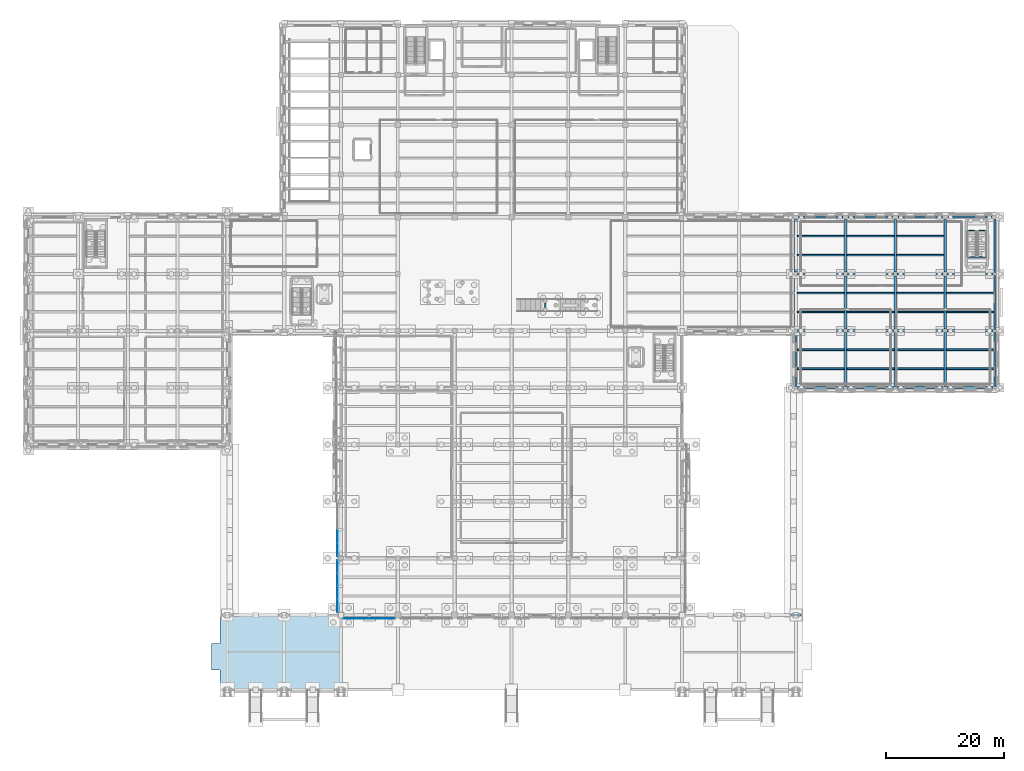
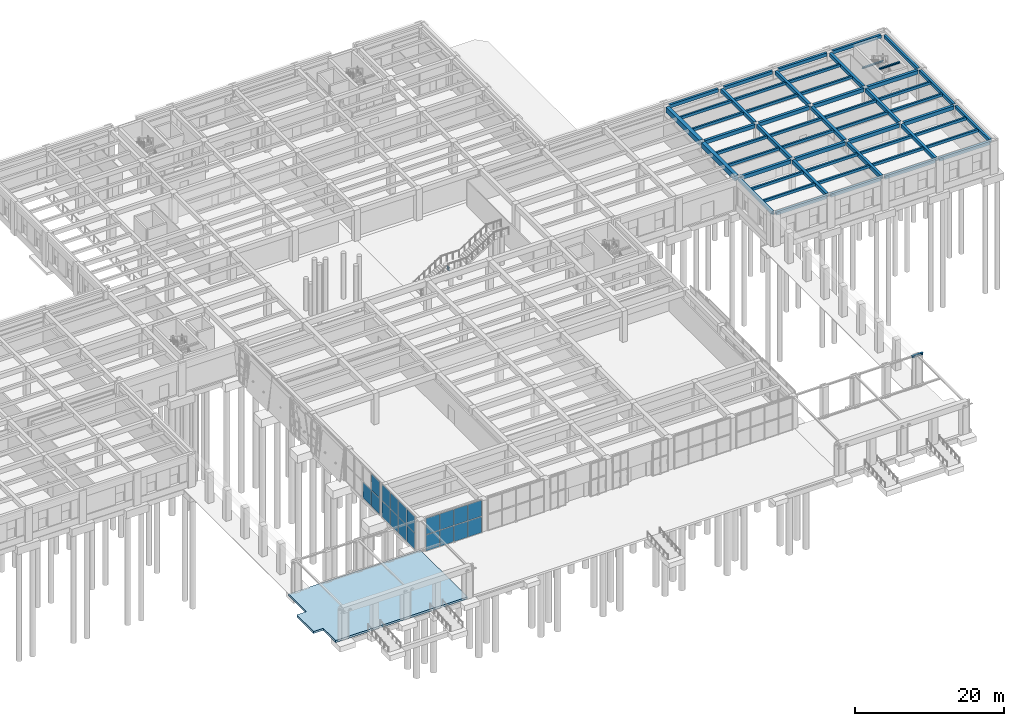
# One storey, part 23 of 51: 57 beams, 19 plates, 1 slab, 3 elements without a shape of their own.
"""IFC4 building model written with IfcOpenShell, lengths in metres."""

from ifc_helpers import new_model, si_unit, direction, frame, origin, origin_2d, place, context, subcontext, project, spatial, polyline, rectangle, i_section, outline, extrude, material, layer, layer_set, material_profile, profile_set, type_object, element, aggregate, save


model = new_model("IFC4")

# Units and contexts
model_context = context("Model", 3, precision=1e-05, world=origin(), true_north=direction((0.0, 1.0)))
body_context = subcontext(model_context, "Body", "Model", "MODEL_VIEW")
ifc_project = project(units=[si_unit("LENGTHUNIT", "METRE"), si_unit("AREAUNIT", "SQUARE_METRE"), si_unit("VOLUMEUNIT", "CUBIC_METRE"), si_unit("PLANEANGLEUNIT", "RADIAN"), si_unit("MASSUNIT", "GRAM", prefix="KILO")], contexts=[model_context])

# Site, building, storey
site_placement = place(None, origin())
site = spatial("IfcSite", under=ifc_project, at=site_placement, CompositionType="ELEMENT")
building_placement = place(site_placement, origin())
building = spatial("IfcBuilding", under=site, at=building_placement, Name="Bempovik Park Faculty of Sciences", CompositionType="ELEMENT")
storey_placement = place(building_placement, origin())
storey = spatial("IfcBuildingStorey", under=building, at=storey_placement, Name="L00", CompositionType="ELEMENT", Elevation=0.0)

# Beams
ifc_material_1 = material(Name="Concrete C35/45", Category="concrete")
ifc_material_profile_1 = material_profile(ifc_material_1, rectangle(XDim=0.39990234375, YDim=0.60009765625, at=origin_2d()), Name="RC 400x600")
ifc_profile_set_1 = profile_set([ifc_material_profile_1], Name="Concrete C35/45")
beam_type_1 = type_object("IfcBeamType", Name="B-020 RC 400x600", PredefinedType="BEAM", material=ifc_profile_set_1)
beam_1_placement = place(storey_placement, frame((137.115966796875, 67.800048828125, 4.780029296875), z_axis=(1.0, 0.0, 0.0), x_axis=(0.0, 1.0, 0.0)))
element("IfcBeam", 1, at=beam_1_placement, inside=storey, type_object=beam_type_1, Name="L00 Beam X (136.8-145.2, y=67.8)", PredefinedType="BEAM", context=body_context, shape_type="SweptSolid", body=[
    extrude(rectangle(XDim=0.39990234375, YDim=0.60009765625, at=origin_2d()), origin(), (0.0, 0.0, 1.0), 7.76806640625),
])
beam_2_placement = place(storey_placement, frame((145.51611328125, 67.800048828125, 4.780029296875), z_axis=(1.0, 0.0, 0.0), x_axis=(0.0, 1.0, 0.0)))
element("IfcBeam", 2, at=beam_2_placement, inside=storey, type_object=beam_type_1, Name="L00 Beam X (145.2-153.6, y=67.8)", PredefinedType="BEAM", context=body_context, shape_type="SweptSolid", body=[
    extrude(rectangle(XDim=0.39990234375, YDim=0.60009765625, at=origin_2d()), origin(), (0.0, 0.0, 1.0), 7.767822265625),
])
for number, where, z_axis, x_axis, name in (
    (3, (153.916015625, 67.800048828125, 4.780029296875), (1.0, 0.0, 0.0), (0.0, 1.0, 0.0), "L00 Beam X (153.6-162.0, y=67.8)"),
    (4, (162.31591796875, 67.800048828125, 4.780029296875), (1.0, 0.0, 0.0), (0.0, 1.0, 0.0), "L00 Beam X (162.0-170.4, y=67.8)"),
    (5, (137.115966796875, 77.39990234375, 4.780029296875), (1.0, 0.0, 0.0), (0.0, 1.0, 0.0), "L00 Beam X (136.8-145.2, y=77.4)"),
):
    element("IfcBeam", number, at=place(storey_placement, frame(where, z_axis=z_axis, x_axis=x_axis)), inside=storey, type_object=beam_type_1, Name=name, PredefinedType="BEAM", context=body_context, shape_type="SweptSolid", body=[
        extrude(rectangle(XDim=0.39990234375, YDim=0.60009765625, at=origin_2d()), origin(), (0.0, 0.0, 1.0), 7.76806640625),
    ])
beam_3_placement = place(storey_placement, frame((145.51611328125, 77.39990234375, 4.780029296875), z_axis=(1.0, 0.0, 0.0), x_axis=(0.0, 1.0, 0.0)))
element("IfcBeam", 6, at=beam_3_placement, inside=storey, type_object=beam_type_1, Name="L00 Beam X (145.2-153.6, y=77.4)", PredefinedType="BEAM", context=body_context, shape_type="SweptSolid", body=[
    extrude(rectangle(XDim=0.39990234375, YDim=0.60009765625, at=origin_2d()), origin(), (0.0, 0.0, 1.0), 7.767822265625),
])
for number, where, z_axis, x_axis, name in (
    (7, (153.916015625, 77.39990234375, 4.780029296875), (1.0, 0.0, 0.0), (0.0, 1.0, 0.0), "L00 Beam X (153.6-162.0, y=77.4)"),
    (8, (162.31591796875, 77.39990234375, 4.780029296875), (1.0, 0.0, 0.0), (0.0, 1.0, 0.0), "L00 Beam X (162.0-170.4, y=77.4)"),
):
    element("IfcBeam", number, at=place(storey_placement, frame(where, z_axis=z_axis, x_axis=x_axis)), inside=storey, type_object=beam_type_1, Name=name, PredefinedType="BEAM", context=body_context, shape_type="SweptSolid", body=[
        extrude(rectangle(XDim=0.39990234375, YDim=0.60009765625, at=origin_2d()), origin(), (0.0, 0.0, 1.0), 7.76806640625),
    ])
beam_4_placement = place(storey_placement, frame((145.199951171875, 58.43603515625, 4.780029296875), z_axis=(0.0, 1.0, 0.0), x_axis=(-1.0, 0.0, 0.0)))
element("IfcBeam", 9, at=beam_4_placement, inside=storey, type_object=beam_type_1, Name="L00 Beam Y (x=145.2, 58.2-67.8)", PredefinedType="BEAM", context=body_context, shape_type="SweptSolid", body=[
    extrude(rectangle(XDim=0.39990234375, YDim=0.60009765625, at=origin_2d()), origin(), (0.0, 0.0, 1.0), 9.0478515625),
])
beam_5_placement = place(storey_placement, frame((145.199951171875, 68.115966796875, 4.780029296875), z_axis=(0.0, 1.0, 0.0), x_axis=(-1.0, 0.0, 0.0)))
element("IfcBeam", 10, at=beam_5_placement, inside=storey, type_object=beam_type_1, Name="L00 Beam Y (x=145.2, 67.8-77.4)", PredefinedType="BEAM", context=body_context, shape_type="SweptSolid", body=[
    extrude(rectangle(XDim=0.39990234375, YDim=0.60009765625, at=origin_2d()), origin(), (0.0, 0.0, 1.0), 8.968017578125),
])
beam_6_placement = place(storey_placement, frame((145.199951171875, 77.716064453125, 4.780029296875), z_axis=(0.0, 1.0, 0.0), x_axis=(-1.0, 0.0, 0.0)))
element("IfcBeam", 11, at=beam_6_placement, inside=storey, type_object=beam_type_1, Name="L00 Beam Y (x=145.2, 77.4-87.0)", PredefinedType="BEAM", context=body_context, shape_type="SweptSolid", body=[
    extrude(rectangle(XDim=0.39990234375, YDim=0.60009765625, at=origin_2d()), origin(), (0.0, 0.0, 1.0), 8.927978515625),
])
beam_7_placement = place(storey_placement, frame((153.60009765625, 58.43603515625, 4.780029296875), z_axis=(0.0, 1.0, 0.0), x_axis=(-1.0, 0.0, 0.0)))
element("IfcBeam", 12, at=beam_7_placement, inside=storey, type_object=beam_type_1, Name="L00 Beam Y (x=153.6, 58.2-67.8)", PredefinedType="BEAM", context=body_context, shape_type="SweptSolid", body=[
    extrude(rectangle(XDim=0.39990234375, YDim=0.60009765625, at=origin_2d()), origin(), (0.0, 0.0, 1.0), 9.0478515625),
])
beam_8_placement = place(storey_placement, frame((153.60009765625, 68.115966796875, 4.780029296875), z_axis=(0.0, 1.0, 0.0), x_axis=(-1.0, 0.0, 0.0)))
element("IfcBeam", 13, at=beam_8_placement, inside=storey, type_object=beam_type_1, Name="L00 Beam Y (x=153.6, 67.8-77.4)", PredefinedType="BEAM", context=body_context, shape_type="SweptSolid", body=[
    extrude(rectangle(XDim=0.39990234375, YDim=0.60009765625, at=origin_2d()), origin(), (0.0, 0.0, 1.0), 8.968017578125),
])
beam_9_placement = place(storey_placement, frame((153.60009765625, 77.716064453125, 4.780029296875), z_axis=(0.0, 1.0, 0.0), x_axis=(-1.0, 0.0, 0.0)))
element("IfcBeam", 14, at=beam_9_placement, inside=storey, type_object=beam_type_1, Name="L00 Beam Y (x=153.6, 77.4-87.0)", PredefinedType="BEAM", context=body_context, shape_type="SweptSolid", body=[
    extrude(rectangle(XDim=0.39990234375, YDim=0.60009765625, at=origin_2d()), origin(), (0.0, 0.0, 1.0), 8.927978515625),
])
beam_10_placement = place(storey_placement, frame((162.0, 58.43603515625, 4.780029296875), z_axis=(0.0, 1.0, 0.0), x_axis=(-1.0, 0.0, 0.0)))
element("IfcBeam", 15, at=beam_10_placement, inside=storey, type_object=beam_type_1, Name="L00 Beam Y (x=162.0, 58.2-67.8)", PredefinedType="BEAM", context=body_context, shape_type="SweptSolid", body=[
    extrude(rectangle(XDim=0.39990234375, YDim=0.60009765625, at=origin_2d()), origin(), (0.0, 0.0, 1.0), 9.0478515625),
])
beam_11_placement = place(storey_placement, frame((162.0, 68.115966796875, 4.780029296875), z_axis=(0.0, 1.0, 0.0), x_axis=(-1.0, 0.0, 0.0)))
element("IfcBeam", 16, at=beam_11_placement, inside=storey, type_object=beam_type_1, Name="L00 Beam Y (x=162.0, 67.8-77.4)", PredefinedType="BEAM", context=body_context, shape_type="SweptSolid", body=[
    extrude(rectangle(XDim=0.39990234375, YDim=0.60009765625, at=origin_2d()), origin(), (0.0, 0.0, 1.0), 8.968017578125),
])
beam_12_placement = place(storey_placement, frame((162.0, 77.716064453125, 4.780029296875), z_axis=(0.0, 1.0, 0.0), x_axis=(-1.0, 0.0, 0.0)))
element("IfcBeam", 17, at=beam_12_placement, inside=storey, type_object=beam_type_1, Name="L00 Beam Y (x=162.0, 77.4-87.0)", PredefinedType="BEAM", context=body_context, shape_type="SweptSolid", body=[
    extrude(rectangle(XDim=0.39990234375, YDim=0.60009765625, at=origin_2d()), origin(), (0.0, 0.0, 1.0), 8.927978515625),
])
ifc_material_2 = material(Name="Steel S355", Category="steel")
ifc_material_profile_2 = material_profile(ifc_material_2, i_section(OverallWidth=0.300048828125, OverallDepth=0.31005859375, WebThickness=0.009033203125, FlangeThickness=0.015380859375, at=origin_2d()), Name="HEA 320")
ifc_profile_set_2 = profile_set([ifc_material_profile_2], Name="Steel S355")
beam_type_2 = type_object("IfcBeamType", Name="B-024 HEA 320", PredefinedType="BEAM", material=ifc_profile_set_2)
beam_13_placement = place(storey_placement, frame((135.949951171875, 19.800048828125, 5.02490234375), z_axis=(1.0, 0.0, 0.0), x_axis=(0.0, 1.0, 0.0)))
element("IfcBeam", 18, at=beam_13_placement, inside=storey, type_object=beam_type_2, Name="Colonnade Rear Cap Beam E-136.8", PredefinedType="BEAM", context=body_context, shape_type="SweptSolid", body=[
    extrude(i_section(OverallWidth=0.300048828125, OverallDepth=0.31005859375, WebThickness=0.009033203125, FlangeThickness=0.015380859375, at=origin_2d()), origin(), (0.0, 0.0, 1.0), 1.699951171875),
])
ifc_material_profile_3 = material_profile(ifc_material_2, i_section(OverallWidth=0.199951171875, OverallDepth=0.5, WebThickness=0.01025390625, FlangeThickness=0.01611328125, at=origin_2d()), Name="IPE 500")
ifc_profile_set_3 = profile_set([ifc_material_profile_3], Name="Steel S355")
beam_type_3 = type_object("IfcBeamType", Name="B-058 IPE 500", PredefinedType="BEAM", material=ifc_profile_set_3)
beam_14_placement = place(storey_placement, frame((94.5, 71.77587890625, 2.25), z_axis=(0.0, 1.0, 0.0), x_axis=(-1.0, 0.0, 0.0)))
element("IfcBeam", 19, at=beam_14_placement, inside=storey, type_object=beam_type_3, Name="Atrium Monumental Stair Landing Stringer", PredefinedType="BEAM", context=body_context, shape_type="SweptSolid", body=[
    extrude(i_section(OverallWidth=0.199951171875, OverallDepth=0.5, WebThickness=0.01025390625, FlangeThickness=0.01611328125, at=origin_2d()), origin(), (0.0, 0.0, 1.0), 0.6982421875),
])
ifc_material_profile_4 = material_profile(ifc_material_1, rectangle(XDim=0.35009765625, YDim=0.5400390625, at=origin_2d()), Name="RC 350x540")
ifc_profile_set_4 = profile_set([ifc_material_profile_4], Name="Concrete C35/45")
beam_type_4 = type_object("IfcBeamType", Name="B-059 RC 350x540", PredefinedType="SPANDREL", material=ifc_profile_set_4)
beam_15_placement = place(storey_placement, frame((137.115966796875, 58.199951171875, 4.81005859375), z_axis=(1.0, 0.0, 0.0), x_axis=(0.0, 1.0, 0.0)))
element("IfcBeam", 20, at=beam_15_placement, inside=storey, type_object=beam_type_4, Name="L00 Beam X (136.8-145.2, y=58.2)", PredefinedType="SPANDREL", context=body_context, shape_type="SweptSolid", body=[
    extrude(rectangle(XDim=0.35009765625, YDim=0.5400390625, at=origin_2d()), origin(), (0.0, 0.0, 1.0), 7.76806640625),
])
beam_16_placement = place(storey_placement, frame((145.51611328125, 58.199951171875, 4.81005859375), z_axis=(1.0, 0.0, 0.0), x_axis=(0.0, 1.0, 0.0)))
element("IfcBeam", 21, at=beam_16_placement, inside=storey, type_object=beam_type_4, Name="L00 Beam X (145.2-153.6, y=58.2)", PredefinedType="SPANDREL", context=body_context, shape_type="SweptSolid", body=[
    extrude(rectangle(XDim=0.35009765625, YDim=0.5400390625, at=origin_2d()), origin(), (0.0, 0.0, 1.0), 7.767822265625),
])
for number, where, z_axis, x_axis, name in (
    (22, (153.916015625, 58.199951171875, 4.81005859375), (1.0, 0.0, 0.0), (0.0, 1.0, 0.0), "L00 Beam X (153.6-162.0, y=58.2)"),
    (23, (162.31591796875, 58.199951171875, 4.81005859375), (1.0, 0.0, 0.0), (0.0, 1.0, 0.0), "L00 Beam X (162.0-170.4, y=58.2)"),
):
    element("IfcBeam", number, at=place(storey_placement, frame(where, z_axis=z_axis, x_axis=x_axis)), inside=storey, type_object=beam_type_4, Name=name, PredefinedType="SPANDREL", context=body_context, shape_type="SweptSolid", body=[
        extrude(rectangle(XDim=0.35009765625, YDim=0.5400390625, at=origin_2d()), origin(), (0.0, 0.0, 1.0), 7.76806640625),
    ])
beam_17_placement = place(storey_placement, frame((137.256103515625, 87.0, 4.81005859375), z_axis=(1.0, 0.0, 0.0), x_axis=(0.0, 1.0, 0.0)))
element("IfcBeam", 24, at=beam_17_placement, inside=storey, type_object=beam_type_4, Name="L00 Beam X (136.8-145.2, y=87.0)", PredefinedType="SPANDREL", context=body_context, shape_type="SweptSolid", body=[
    extrude(rectangle(XDim=0.35009765625, YDim=0.5400390625, at=origin_2d()), origin(), (0.0, 0.0, 1.0), 7.48779296875),
])
for number, where, z_axis, x_axis, name in (
    (25, (145.656005859375, 87.0, 4.81005859375), (1.0, 0.0, 0.0), (0.0, 1.0, 0.0), "L00 Beam X (145.2-153.6, y=87.0)"),
    (26, (154.055908203125, 87.0, 4.81005859375), (1.0, 0.0, 0.0), (0.0, 1.0, 0.0), "L00 Beam X (153.6-162.0, y=87.0)"),
    (27, (162.4560546875, 87.0, 4.81005859375), (1.0, 0.0, 0.0), (0.0, 1.0, 0.0), "L00 Beam X (162.0-170.4, y=87.0)"),
):
    element("IfcBeam", number, at=place(storey_placement, frame(where, z_axis=z_axis, x_axis=x_axis)), inside=storey, type_object=beam_type_4, Name=name, PredefinedType="SPANDREL", context=body_context, shape_type="SweptSolid", body=[
        extrude(rectangle(XDim=0.35009765625, YDim=0.5400390625, at=origin_2d()), origin(), (0.0, 0.0, 1.0), 7.488037109375),
    ])
beam_18_placement = place(storey_placement, frame((136.800048828125, 58.43603515625, 4.81005859375), z_axis=(0.0, 1.0, 0.0), x_axis=(-1.0, 0.0, 0.0)))
element("IfcBeam", 28, at=beam_18_placement, inside=storey, type_object=beam_type_4, Name="L00 Beam Y (x=136.8, 58.2-67.8)", PredefinedType="SPANDREL", context=body_context, shape_type="SweptSolid", body=[
    extrude(rectangle(XDim=0.35009765625, YDim=0.5400390625, at=origin_2d()), origin(), (0.0, 0.0, 1.0), 9.0478515625),
])
beam_19_placement = place(storey_placement, frame((170.39990234375, 58.43603515625, 4.81005859375), z_axis=(0.0, 1.0, 0.0), x_axis=(-1.0, 0.0, 0.0)))
element("IfcBeam", 29, at=beam_19_placement, inside=storey, type_object=beam_type_4, Name="L00 Beam Y (x=170.4, 58.2-67.8)", PredefinedType="SPANDREL", context=body_context, shape_type="SweptSolid", body=[
    extrude(rectangle(XDim=0.35009765625, YDim=0.5400390625, at=origin_2d()), origin(), (0.0, 0.0, 1.0), 9.1279296875),
])
beam_20_placement = place(storey_placement, frame((170.39990234375, 68.035888671875, 4.81005859375), z_axis=(0.0, 1.0, 0.0), x_axis=(-1.0, 0.0, 0.0)))
element("IfcBeam", 30, at=beam_20_placement, inside=storey, type_object=beam_type_4, Name="L00 Beam Y (x=170.4, 67.8-77.4)", PredefinedType="SPANDREL", context=body_context, shape_type="SweptSolid", body=[
    extrude(rectangle(XDim=0.35009765625, YDim=0.5400390625, at=origin_2d()), origin(), (0.0, 0.0, 1.0), 9.128173828125),
])
beam_21_placement = place(storey_placement, frame((170.39990234375, 77.635986328125, 4.81005859375), z_axis=(0.0, 1.0, 0.0), x_axis=(-1.0, 0.0, 0.0)))
element("IfcBeam", 31, at=beam_21_placement, inside=storey, type_object=beam_type_4, Name="L00 Beam Y (x=170.4, 77.4-87.0)", PredefinedType="SPANDREL", context=body_context, shape_type="SweptSolid", body=[
    extrude(rectangle(XDim=0.35009765625, YDim=0.5400390625, at=origin_2d()), origin(), (0.0, 0.0, 1.0), 9.008056640625),
])
ifc_material_profile_5 = material_profile(ifc_material_2, i_section(OverallWidth=0.239990234375, OverallDepth=0.22998046875, WebThickness=0.007568359375, FlangeThickness=0.011962890625, at=origin_2d()), Name="HEA 240")
ifc_profile_set_5 = profile_set([ifc_material_profile_5], Name="Steel S355")
beam_type_5 = type_object("IfcBeamType", Name="B-070 HEA 240", PredefinedType="BEAM", material=ifc_profile_set_5)
for number, where, z_axis, x_axis, name in (
    (32, (165.756103515625, 84.74365234375, 2.385009765625), (1.0, 0.0, 0.0), (0.0, 1.0, 0.0), "L00 ST-6 Half-Landing Trimmer Beam"),
    (33, (165.756103515625, 80.22509765625, 4.965087890625), (1.0, 0.0, 0.0), (0.0, 1.0, 0.0), "L01 ST-6 Floor Landing Trimmer Beam"),
):
    element("IfcBeam", number, at=place(storey_placement, frame(where, z_axis=z_axis, x_axis=x_axis)), inside=storey, type_object=beam_type_5, Name=name, PredefinedType="BEAM", context=body_context, shape_type="SweptSolid", body=[
        extrude(i_section(OverallWidth=0.239990234375, OverallDepth=0.22998046875, WebThickness=0.007568359375, FlangeThickness=0.011962890625, at=origin_2d()), origin(), (0.0, 0.0, 1.0), 3.23779296875),
    ])
ifc_material_profile_6 = material_profile(ifc_material_1, rectangle(XDim=0.280029296875, YDim=0.43994140625, at=origin_2d()), Name="RC 280x440")
ifc_profile_set_6 = profile_set([ifc_material_profile_6], Name="Concrete C35/45")
beam_type_6 = type_object("IfcBeamType", Name="B-076 RC 280x440", PredefinedType="JOIST", material=ifc_profile_set_6)
for number, where, z_axis, x_axis, name in (
    (34, (136.98095703125, 61.39990234375, 4.860107421875), (1.0, 0.0, 0.0), (0.0, 1.0, 0.0), "L00 Secondary Joist (136.8-145.2, y=61.40)"),
    (35, (136.98095703125, 64.60009765625, 4.860107421875), (1.0, 0.0, 0.0), (0.0, 1.0, 0.0), "L00 Secondary Joist (136.8-145.2, y=64.60)"),
):
    element("IfcBeam", number, at=place(storey_placement, frame(where, z_axis=z_axis, x_axis=x_axis)), inside=storey, type_object=beam_type_6, Name=name, PredefinedType="JOIST", context=body_context, shape_type="SweptSolid", body=[
        extrude(rectangle(XDim=0.280029296875, YDim=0.43994140625, at=origin_2d()), origin(), (0.0, 0.0, 1.0), 8.012939453125),
    ])
for number, where, z_axis, x_axis, name in (
    (36, (137.0810546875, 71.0, 4.860107421875), (1.0, 0.0, 0.0), (0.0, 1.0, 0.0), "L00 Secondary Joist (136.8-145.2, y=71.00)"),
    (37, (137.0810546875, 74.199951171875, 4.860107421875), (1.0, 0.0, 0.0), (0.0, 1.0, 0.0), "L00 Secondary Joist (136.8-145.2, y=74.20)"),
    (38, (137.0810546875, 80.60009765625, 4.860107421875), (1.0, 0.0, 0.0), (0.0, 1.0, 0.0), "L00 Secondary Joist (136.8-145.2, y=80.60)"),
    (39, (137.0810546875, 83.800048828125, 4.860107421875), (1.0, 0.0, 0.0), (0.0, 1.0, 0.0), "L00 Secondary Joist (136.8-145.2, y=83.80)"),
):
    element("IfcBeam", number, at=place(storey_placement, frame(where, z_axis=z_axis, x_axis=x_axis)), inside=storey, type_object=beam_type_6, Name=name, PredefinedType="JOIST", context=body_context, shape_type="SweptSolid", body=[
        extrude(rectangle(XDim=0.280029296875, YDim=0.43994140625, at=origin_2d()), origin(), (0.0, 0.0, 1.0), 7.912841796875),
    ])
for number, where, z_axis, x_axis, name in (
    (40, (145.406005859375, 61.39990234375, 4.860107421875), (1.0, 0.0, 0.0), (0.0, 1.0, 0.0), "L00 Secondary Joist (145.2-153.6, y=61.40)"),
    (41, (145.406005859375, 64.60009765625, 4.860107421875), (1.0, 0.0, 0.0), (0.0, 1.0, 0.0), "L00 Secondary Joist (145.2-153.6, y=64.60)"),
    (42, (145.406005859375, 71.0, 4.860107421875), (1.0, 0.0, 0.0), (0.0, 1.0, 0.0), "L00 Secondary Joist (145.2-153.6, y=71.00)"),
    (43, (145.406005859375, 74.199951171875, 4.860107421875), (1.0, 0.0, 0.0), (0.0, 1.0, 0.0), "L00 Secondary Joist (145.2-153.6, y=74.20)"),
    (44, (145.406005859375, 80.60009765625, 4.860107421875), (1.0, 0.0, 0.0), (0.0, 1.0, 0.0), "L00 Secondary Joist (145.2-153.6, y=80.60)"),
    (45, (145.406005859375, 83.800048828125, 4.860107421875), (1.0, 0.0, 0.0), (0.0, 1.0, 0.0), "L00 Secondary Joist (145.2-153.6, y=83.80)"),
    (46, (153.805908203125, 61.39990234375, 4.860107421875), (1.0, 0.0, 0.0), (0.0, 1.0, 0.0), "L00 Secondary Joist (153.6-162.0, y=61.40)"),
    (47, (153.805908203125, 64.60009765625, 4.860107421875), (1.0, 0.0, 0.0), (0.0, 1.0, 0.0), "L00 Secondary Joist (153.6-162.0, y=64.60)"),
    (48, (153.805908203125, 71.0, 4.860107421875), (1.0, 0.0, 0.0), (0.0, 1.0, 0.0), "L00 Secondary Joist (153.6-162.0, y=71.00)"),
    (49, (153.805908203125, 74.199951171875, 4.860107421875), (1.0, 0.0, 0.0), (0.0, 1.0, 0.0), "L00 Secondary Joist (153.6-162.0, y=74.20)"),
    (50, (153.805908203125, 80.60009765625, 4.860107421875), (1.0, 0.0, 0.0), (0.0, 1.0, 0.0), "L00 Secondary Joist (153.6-162.0, y=80.60)"),
    (51, (153.805908203125, 83.800048828125, 4.860107421875), (1.0, 0.0, 0.0), (0.0, 1.0, 0.0), "L00 Secondary Joist (153.6-162.0, y=83.80)"),
):
    element("IfcBeam", number, at=place(storey_placement, frame(where, z_axis=z_axis, x_axis=x_axis)), inside=storey, type_object=beam_type_6, Name=name, PredefinedType="JOIST", context=body_context, shape_type="SweptSolid", body=[
        extrude(rectangle(XDim=0.280029296875, YDim=0.43994140625, at=origin_2d()), origin(), (0.0, 0.0, 1.0), 7.988037109375),
    ])
for number, where, z_axis, x_axis, name in (
    (52, (162.2060546875, 61.39990234375, 4.860107421875), (1.0, 0.0, 0.0), (0.0, 1.0, 0.0), "L00 Secondary Joist (162.0-170.4, y=61.40)"),
    (53, (162.2060546875, 64.60009765625, 4.860107421875), (1.0, 0.0, 0.0), (0.0, 1.0, 0.0), "L00 Secondary Joist (162.0-170.4, y=64.60)"),
    (54, (162.2060546875, 71.0, 4.860107421875), (1.0, 0.0, 0.0), (0.0, 1.0, 0.0), "L00 Secondary Joist (162.0-170.4, y=71.00)"),
    (55, (162.2060546875, 74.199951171875, 4.860107421875), (1.0, 0.0, 0.0), (0.0, 1.0, 0.0), "L00 Secondary Joist (162.0-170.4, y=74.20)"),
):
    element("IfcBeam", number, at=place(storey_placement, frame(where, z_axis=z_axis, x_axis=x_axis)), inside=storey, type_object=beam_type_6, Name=name, PredefinedType="JOIST", context=body_context, shape_type="SweptSolid", body=[
        extrude(rectangle(XDim=0.280029296875, YDim=0.43994140625, at=origin_2d()), origin(), (0.0, 0.0, 1.0), 8.012939453125),
    ])
ifc_material_3 = material(Name="Concrete C40/50", Category="concrete")
ifc_material_profile_7 = material_profile(ifc_material_3, rectangle(XDim=0.550048828125, YDim=0.85009765625, at=origin_2d()), Name="RC 550x850")
ifc_profile_set_7 = profile_set([ifc_material_profile_7], Name="Concrete C40/50")
beam_type_7 = type_object("IfcBeamType", Name="B-080 RC 550x850", PredefinedType="BEAM", material=ifc_profile_set_7)
beam_22_placement = place(storey_placement, frame((136.800048828125, 68.115966796875, 4.655029296875), z_axis=(0.0, 1.0, 0.0), x_axis=(-1.0, 0.0, 0.0)))
element("IfcBeam", 56, at=beam_22_placement, inside=storey, type_object=beam_type_7, Name="L00 Beam Y (x=136.8, 67.8-77.4)", PredefinedType="BEAM", context=body_context, shape_type="SweptSolid", body=[
    extrude(rectangle(XDim=0.550048828125, YDim=0.85009765625, at=origin_2d()), origin(), (0.0, 0.0, 1.0), 8.968017578125),
])
beam_23_placement = place(storey_placement, frame((136.800048828125, 77.716064453125, 4.655029296875), z_axis=(0.0, 1.0, 0.0), x_axis=(-1.0, 0.0, 0.0)))
element("IfcBeam", 57, at=beam_23_placement, inside=storey, type_object=beam_type_7, Name="L00 Beam Y (x=136.8, 77.4-87.0)", PredefinedType="BEAM", context=body_context, shape_type="SweptSolid", body=[
    extrude(rectangle(XDim=0.550048828125, YDim=0.85009765625, at=origin_2d()), origin(), (0.0, 0.0, 1.0), 8.927978515625),
])

# Curtain wall, plates
ifc_material_4 = material(Name="Tempered laminated low-E glass", Category="glass")
ifc_layer_1 = layer(ifc_material_4, 0.159912109375)
ifc_layer_set_1 = layer_set([ifc_layer_1], Name="Tempered laminated low-E glass")
curtain_wall_type = type_object("IfcCurtainWallType", Name="CW-57 Curtain 7200x5100", PredefinedType="USERDEFINED", material=ifc_layer_set_1)
curtain_wall_1_placement = place(storey_placement, origin())
curtain_wall_1 = element("IfcCurtainWall", 58, at=curtain_wall_1_placement, inside=storey, type_object=curtain_wall_type, Name="L00 Recessed Entrance Foyer Curtain Wall (60.0-69.6)", ObjectType="UNITISED CURTAIN WALL", PredefinedType="USERDEFINED")
ifc_layer_2 = layer(ifc_material_4, 0.0400390625)
ifc_layer_set_2 = layer_set([ifc_layer_2], Name="Tempered laminated low-E glass")
plate_type = type_object("IfcPlateType", Name="CP-15 Curtain Panel 40mm", PredefinedType="CURTAIN_PANEL", material=ifc_layer_set_2)
plate_1_placement = place(storey_placement, frame((61.54638671875, 19.219970703125, 0.0400390625), z_axis=(0.0, 0.0, 1.0), x_axis=(1.0, 0.0, 0.0)))
plate_1 = element("IfcPlate", 59, at=plate_1_placement, type_object=plate_type, Name="CW-FOY-L00-198-600 Panel 0-0", PredefinedType="CURTAIN_PANEL", context=body_context, shape_type="SweptSolid", body=[
    extrude(rectangle(XDim=2.089111328125, YDim=0.035888671875, at=origin_2d()), origin(), (0.0, 0.0, 1.0), 2.6201171875),
])
plate_2_placement = place(storey_placement, frame((61.54638671875, 19.219970703125, 2.739990234375), z_axis=(0.0, 0.0, 1.0), x_axis=(1.0, 0.0, 0.0)))
plate_2 = element("IfcPlate", 60, at=plate_2_placement, type_object=plate_type, Name="CW-FOY-L00-198-600 Panel 0-1", PredefinedType="CURTAIN_PANEL", context=body_context, shape_type="SweptSolid", body=[
    extrude(rectangle(XDim=2.089111328125, YDim=0.035888671875, at=origin_2d()), origin(), (0.0, 0.0, 1.0), 2.6201171875),
])
plate_3_placement = place(storey_placement, frame((63.715576171875, 19.219970703125, 0.0400390625), z_axis=(0.0, 0.0, 1.0), x_axis=(1.0, 0.0, 0.0)))
plate_3 = element("IfcPlate", 61, at=plate_3_placement, type_object=plate_type, Name="CW-FOY-L00-198-600 Panel 1-0", PredefinedType="CURTAIN_PANEL", context=body_context, shape_type="SweptSolid", body=[
    extrude(rectangle(XDim=2.089111328125, YDim=0.035888671875, at=origin_2d()), origin(), (0.0, 0.0, 1.0), 2.6201171875),
])
plate_4_placement = place(storey_placement, frame((63.715576171875, 19.219970703125, 2.739990234375), z_axis=(0.0, 0.0, 1.0), x_axis=(1.0, 0.0, 0.0)))
plate_4 = element("IfcPlate", 62, at=plate_4_placement, type_object=plate_type, Name="CW-FOY-L00-198-600 Panel 1-1", PredefinedType="CURTAIN_PANEL", context=body_context, shape_type="SweptSolid", body=[
    extrude(rectangle(XDim=2.089111328125, YDim=0.035888671875, at=origin_2d()), origin(), (0.0, 0.0, 1.0), 2.6201171875),
])
plate_5_placement = place(storey_placement, frame((65.884521484375, 19.219970703125, 0.0400390625), z_axis=(0.0, 0.0, 1.0), x_axis=(1.0, 0.0, 0.0)))
plate_5 = element("IfcPlate", 63, at=plate_5_placement, type_object=plate_type, Name="CW-FOY-L00-198-600 Panel 2-0", PredefinedType="CURTAIN_PANEL", context=body_context, shape_type="SweptSolid", body=[
    extrude(rectangle(XDim=2.089111328125, YDim=0.035888671875, at=origin_2d()), origin(), (0.0, 0.0, 1.0), 2.6201171875),
])
plate_6_placement = place(storey_placement, frame((65.884521484375, 19.219970703125, 2.739990234375), z_axis=(0.0, 0.0, 1.0), x_axis=(1.0, 0.0, 0.0)))
plate_6 = element("IfcPlate", 64, at=plate_6_placement, type_object=plate_type, Name="CW-FOY-L00-198-600 Panel 2-1", PredefinedType="CURTAIN_PANEL", context=body_context, shape_type="SweptSolid", body=[
    extrude(rectangle(XDim=2.089111328125, YDim=0.035888671875, at=origin_2d()), origin(), (0.0, 0.0, 1.0), 2.6201171875),
])
plate_7_placement = place(storey_placement, frame((68.053466796875, 19.219970703125, 0.0400390625), z_axis=(0.0, 0.0, 1.0), x_axis=(1.0, 0.0, 0.0)))
plate_7 = element("IfcPlate", 65, at=plate_7_placement, type_object=plate_type, Name="CW-FOY-L00-198-600 Panel 3-0", PredefinedType="CURTAIN_PANEL", context=body_context, shape_type="SweptSolid", body=[
    extrude(rectangle(XDim=2.089111328125, YDim=0.035888671875, at=origin_2d()), origin(), (0.0, 0.0, 1.0), 2.6201171875),
])
plate_8_placement = place(storey_placement, frame((68.053466796875, 19.219970703125, 2.739990234375), z_axis=(0.0, 0.0, 1.0), x_axis=(1.0, 0.0, 0.0)))
plate_8 = element("IfcPlate", 66, at=plate_8_placement, type_object=plate_type, Name="CW-FOY-L00-198-600 Panel 3-1", PredefinedType="CURTAIN_PANEL", context=body_context, shape_type="SweptSolid", body=[
    extrude(rectangle(XDim=2.089111328125, YDim=0.035888671875, at=origin_2d()), origin(), (0.0, 0.0, 1.0), 2.6201171875),
])
aggregate(curtain_wall_1, [plate_1, plate_2, plate_3, plate_4, plate_5, plate_6, plate_7, plate_8])

curtain_wall_2_placement = place(storey_placement, origin())
curtain_wall_2 = element("IfcCurtainWall", 67, at=curtain_wall_2_placement, inside=storey, type_object=curtain_wall_type, Name="L00 Recessed Entrance Foyer Curtain Wall (19.8-29.4)", ObjectType="UNITISED CURTAIN WALL", PredefinedType="USERDEFINED")
plate_9_placement = place(storey_placement, frame((59.419921875, 21.368408203125, 0.0400390625), z_axis=(0.0, 0.0, 1.0), x_axis=(0.0, 1.0, 0.0)))
plate_9 = element("IfcPlate", 68, at=plate_9_placement, type_object=plate_type, Name="CW-FOY-L00-600-198 Panel 0-0", PredefinedType="CURTAIN_PANEL", context=body_context, shape_type="SweptSolid", body=[
    extrude(rectangle(XDim=2.1328125, YDim=0.035888671875, at=origin_2d()), origin(), (0.0, 0.0, 1.0), 2.6201171875),
])
plate_10_placement = place(storey_placement, frame((59.419921875, 21.368408203125, 2.739990234375), z_axis=(0.0, 0.0, 1.0), x_axis=(0.0, 1.0, 0.0)))
plate_10 = element("IfcPlate", 69, at=plate_10_placement, type_object=plate_type, Name="CW-FOY-L00-600-198 Panel 0-1", PredefinedType="CURTAIN_PANEL", context=body_context, shape_type="SweptSolid", body=[
    extrude(rectangle(XDim=2.1328125, YDim=0.035888671875, at=origin_2d()), origin(), (0.0, 0.0, 1.0), 2.6201171875),
])
plate_11_placement = place(storey_placement, frame((59.419921875, 23.5810546875, 0.0400390625), z_axis=(0.0, 0.0, 1.0), x_axis=(0.0, 1.0, 0.0)))
plate_11 = element("IfcPlate", 70, at=plate_11_placement, type_object=plate_type, Name="CW-FOY-L00-600-198 Panel 1-0", PredefinedType="CURTAIN_PANEL", context=body_context, shape_type="SweptSolid", body=[
    extrude(rectangle(XDim=2.1328125, YDim=0.035888671875, at=origin_2d()), origin(), (0.0, 0.0, 1.0), 2.6201171875),
])
plate_12_placement = place(storey_placement, frame((59.419921875, 23.5810546875, 2.739990234375), z_axis=(0.0, 0.0, 1.0), x_axis=(0.0, 1.0, 0.0)))
plate_12 = element("IfcPlate", 71, at=plate_12_placement, type_object=plate_type, Name="CW-FOY-L00-600-198 Panel 1-1", PredefinedType="CURTAIN_PANEL", context=body_context, shape_type="SweptSolid", body=[
    extrude(rectangle(XDim=2.1328125, YDim=0.035888671875, at=origin_2d()), origin(), (0.0, 0.0, 1.0), 2.6201171875),
])
plate_13_placement = place(storey_placement, frame((59.419921875, 25.7939453125, 0.0400390625), z_axis=(0.0, 0.0, 1.0), x_axis=(0.0, 1.0, 0.0)))
plate_13 = element("IfcPlate", 72, at=plate_13_placement, type_object=plate_type, Name="CW-FOY-L00-600-198 Panel 2-0", PredefinedType="CURTAIN_PANEL", context=body_context, shape_type="SweptSolid", body=[
    extrude(rectangle(XDim=2.1328125, YDim=0.035888671875, at=origin_2d()), origin(), (0.0, 0.0, 1.0), 2.6201171875),
])
plate_14_placement = place(storey_placement, frame((59.419921875, 25.7939453125, 2.739990234375), z_axis=(0.0, 0.0, 1.0), x_axis=(0.0, 1.0, 0.0)))
plate_14 = element("IfcPlate", 73, at=plate_14_placement, type_object=plate_type, Name="CW-FOY-L00-600-198 Panel 2-1", PredefinedType="CURTAIN_PANEL", context=body_context, shape_type="SweptSolid", body=[
    extrude(rectangle(XDim=2.1328125, YDim=0.035888671875, at=origin_2d()), origin(), (0.0, 0.0, 1.0), 2.6201171875),
])
plate_15_placement = place(storey_placement, frame((59.419921875, 28.006591796875, 0.0400390625), z_axis=(0.0, 0.0, 1.0), x_axis=(0.0, 1.0, 0.0)))
plate_15 = element("IfcPlate", 74, at=plate_15_placement, type_object=plate_type, Name="CW-FOY-L00-600-198 Panel 3-0", PredefinedType="CURTAIN_PANEL", context=body_context, shape_type="SweptSolid", body=[
    extrude(rectangle(XDim=2.1328125, YDim=0.035888671875, at=origin_2d()), origin(), (0.0, 0.0, 1.0), 2.6201171875),
])
plate_16_placement = place(storey_placement, frame((59.419921875, 28.006591796875, 2.739990234375), z_axis=(0.0, 0.0, 1.0), x_axis=(0.0, 1.0, 0.0)))
plate_16 = element("IfcPlate", 75, at=plate_16_placement, type_object=plate_type, Name="CW-FOY-L00-600-198 Panel 3-1", PredefinedType="CURTAIN_PANEL", context=body_context, shape_type="SweptSolid", body=[
    extrude(rectangle(XDim=2.1328125, YDim=0.035888671875, at=origin_2d()), origin(), (0.0, 0.0, 1.0), 2.6201171875),
])
aggregate(curtain_wall_2, [plate_9, plate_10, plate_11, plate_12, plate_13, plate_14, plate_15, plate_16])

curtain_wall_3_placement = place(storey_placement, origin())
curtain_wall_3 = element("IfcCurtainWall", 76, at=curtain_wall_3_placement, inside=storey, type_object=curtain_wall_type, Name="L00 Recessed Entrance Foyer Curtain Wall (29.4-39.0)", ObjectType="UNITISED CURTAIN WALL", PredefinedType="USERDEFINED")
plate_17_placement = place(storey_placement, frame((59.419921875, 30.815185546875, 0.0400390625), z_axis=(0.0, 0.0, 1.0), x_axis=(0.0, 1.0, 0.0)))
plate_17 = element("IfcPlate", 77, at=plate_17_placement, type_object=plate_type, Name="CW-FOY-L00-600-294 Panel 0-0", PredefinedType="CURTAIN_PANEL", context=body_context, shape_type="SweptSolid", body=[
    extrude(rectangle(XDim=2.176513671875, YDim=0.035888671875, at=origin_2d()), origin(), (0.0, 0.0, 1.0), 2.6201171875),
])
plate_18_placement = place(storey_placement, frame((59.419921875, 30.815185546875, 2.739990234375), z_axis=(0.0, 0.0, 1.0), x_axis=(0.0, 1.0, 0.0)))
plate_18 = element("IfcPlate", 78, at=plate_18_placement, type_object=plate_type, Name="CW-FOY-L00-600-294 Panel 0-1", PredefinedType="CURTAIN_PANEL", context=body_context, shape_type="SweptSolid", body=[
    extrude(rectangle(XDim=2.176513671875, YDim=0.035888671875, at=origin_2d()), origin(), (0.0, 0.0, 1.0), 2.6201171875),
])
plate_19_placement = place(storey_placement, frame((59.419921875, 33.07177734375, 0.0400390625), z_axis=(0.0, 0.0, 1.0), x_axis=(0.0, 1.0, 0.0)))
plate_19 = element("IfcPlate", 79, at=plate_19_placement, type_object=plate_type, Name="CW-FOY-L00-600-294 Panel 1-0", PredefinedType="CURTAIN_PANEL", context=body_context, shape_type="SweptSolid", body=[
    extrude(rectangle(XDim=2.176513671875, YDim=0.035888671875, at=origin_2d()), origin(), (0.0, 0.0, 1.0), 2.6201171875),
])
aggregate(curtain_wall_3, [plate_17, plate_18, plate_19])

# Slab
ifc_layer_3 = layer(ifc_material_3, 0.340087890625)
ifc_layer_set_3 = layer_set([ifc_layer_3], Name="Concrete C40/50")
slab_type = type_object("IfcSlabType", Name="S-20 Slab 340mm", PredefinedType="FLOOR", material=ifc_layer_set_3)
slab_placement = place(storey_placement, frame((0.0, 0.0, -0.340087890625)))
element("IfcSlab", 80, at=slab_placement, inside=storey, type_object=slab_type, Name="L00 South-West Park Colonnade Slab", PredefinedType="FLOOR", context=body_context, shape_type="SweptSolid", body=[
    extrude(outline(polyline([(39.60009765625, 7.199951171875), (60.0, 7.199951171875), (60.0, 19.800048828125), (39.60009765625, 19.800048828125), (39.60009765625, 15.0), (38.10009765625, 15.0), (38.10009765625, 10.5), (39.60009765625, 10.5), (39.60009765625, 7.199951171875)])), origin(), (0.0, 0.0, 1.0), 0.340087890625),
])

save(model, "model.ifc")
